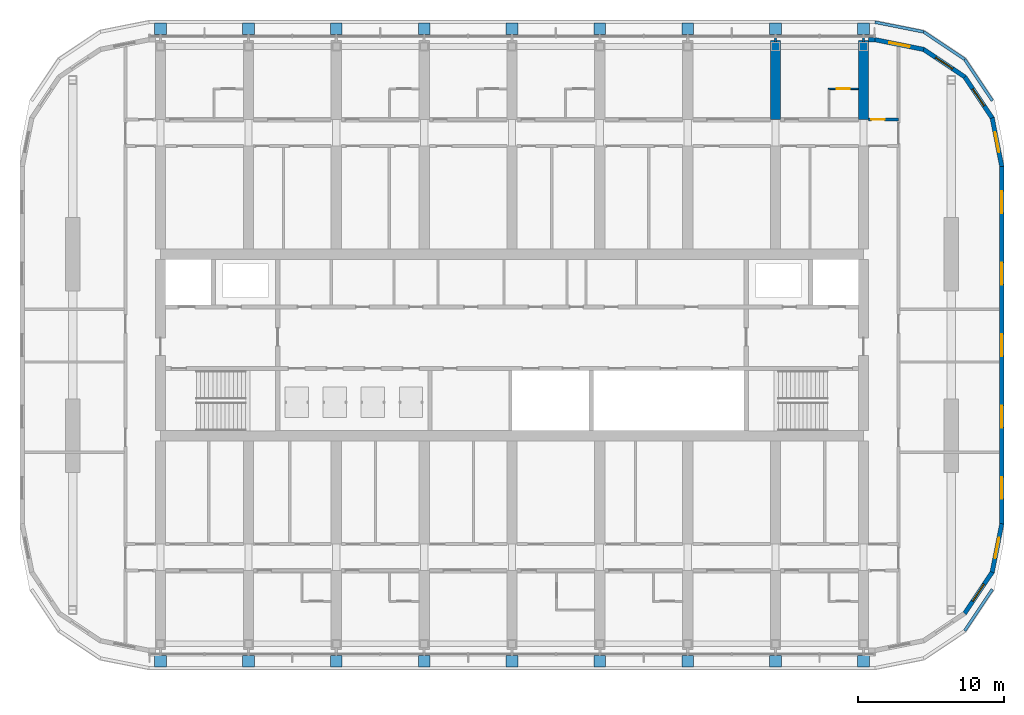
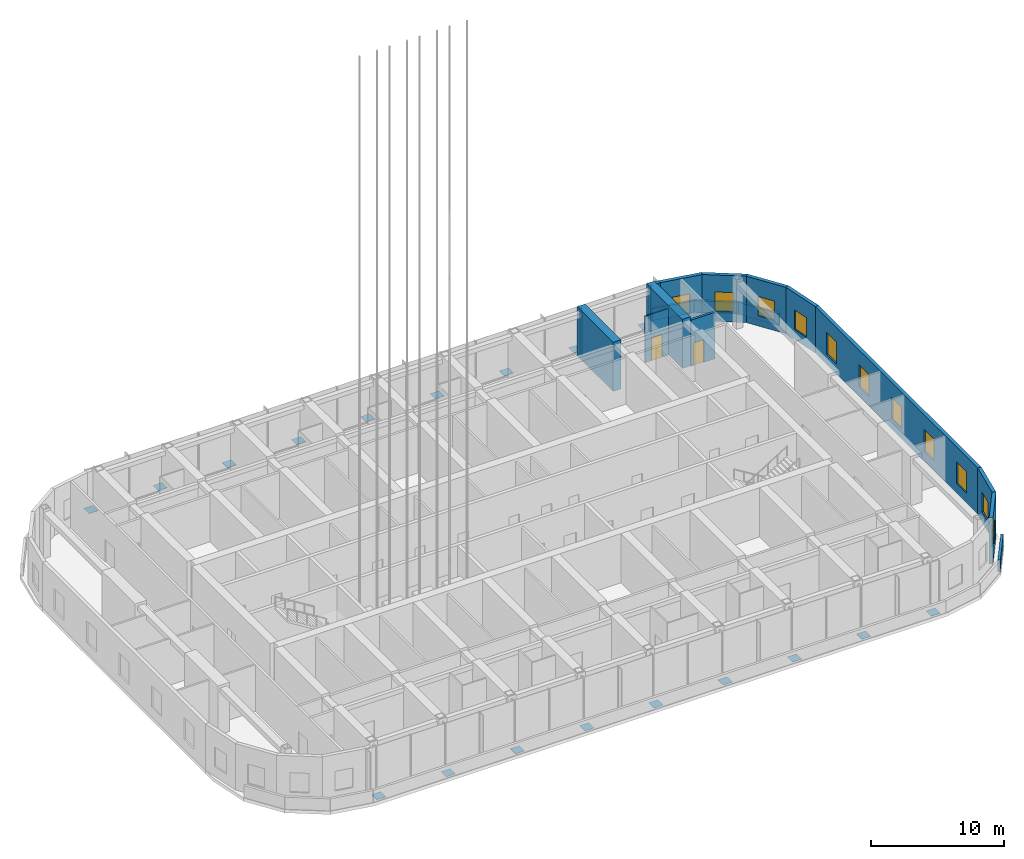
# One storey, part 21 of 35: 18 discrete accessories, 18 walls, 11 windows, 2 doors, 13 openings.
"""IFC4 building model written with IfcOpenShell, lengths in metres."""

import ifcopenshell
import ifcopenshell.guid

model = None  # the IFC model being written
_history = None  # IfcOwnerHistory: only IFC2X3 demands one
_inside = {}  # id of a spatial element -> (the spatial element, [elements in it])
_under = {}  # id of a project, library or spatial element -> (it, [spatial elements below it])
_declared = {}  # id of a project -> (the project, [libraries it declares])
_typed = {}  # id of a type object -> (the type object, [elements of that type])
_made_of = {}  # id of a material, layer set ... -> (it, [elements and type objects made of it])


def new_model(schema):
    """Start an empty IFC model of exactly this schema.

    Asked for "IFC4X3", IfcOpenShell would pick the latest addendum, in which some entities
    have other attributes; the version numbers below select the first issue.
    IFC2X3 requires an IfcOwnerHistory on every rooted entity: one is made here for all.
    """
    global model, _history
    if schema == "IFC4X3":
        model = ifcopenshell.file(schema_version=(4, 3, 0, 0))
    else:
        model = ifcopenshell.file(schema=schema)
    _inside.clear()
    _under.clear()
    _declared.clear()
    _typed.clear()
    _made_of.clear()
    _history = None
    if model.schema == "IFC2X3":
        org = make("IfcOrganization", Name="unknown")
        user = make(
            "IfcPersonAndOrganization",
            ThePerson=make("IfcPerson", FamilyName="unknown"),
            TheOrganization=org,
        )
        app = make(
            "IfcApplication",
            ApplicationDeveloper=org,
            Version="unknown",
            ApplicationFullName="unknown",
            ApplicationIdentifier="unknown",
        )
        _history = make(
            "IfcOwnerHistory",
            OwningUser=user,
            OwningApplication=app,
            ChangeAction="ADDED",
            CreationDate=0,
        )
    return model


def make(cls, **values):
    """One entity of the class cls with the attributes given. An attribute that is None is left unset."""
    return model.create_entity(
        cls, **{name: value for name, value in values.items() if value is not None}
    )


def rooted(cls, **values):
    """An entity with a GlobalId (a new one), such as an element, a storey or a relation."""
    return make(cls, GlobalId=ifcopenshell.guid.new(), OwnerHistory=_history, **values)


def si_unit(unit_type, name, prefix=None):
    """IfcSIUnit, for example si_unit("LENGTHUNIT", "METRE", prefix="MILLI")."""
    return make("IfcSIUnit", UnitType=unit_type, Prefix=prefix, Name=name)


def assignment(units):
    """IfcUnitAssignment: the units of a project."""
    return None if units is None else make("IfcUnitAssignment", Units=units)


def point(xyz):
    """IfcCartesianPoint."""
    return None if xyz is None else make("IfcCartesianPoint", Coordinates=xyz)


def direction(xyz):
    """IfcDirection."""
    return None if xyz is None else make("IfcDirection", DirectionRatios=xyz)


def frame(location, z_axis=None, x_axis=None):
    """IfcAxis2Placement3D, a coordinate frame: its origin and axes. An axis left out is left unset."""
    return make(
        "IfcAxis2Placement3D",
        Location=point(location),
        Axis=direction(z_axis),
        RefDirection=direction(x_axis),
    )


def frame_2d(location, x_axis=None):
    """IfcAxis2Placement2D, a coordinate frame in the plane: its origin and x axis."""
    return make(
        "IfcAxis2Placement2D", Location=point(location), RefDirection=direction(x_axis)
    )


def origin():
    """The frame at (0, 0, 0) with its axes left unset."""
    return frame((0.0, 0.0, 0.0))


def origin_2d():
    """The frame at (0, 0) in the plane with its x axis left unset."""
    return frame_2d((0.0, 0.0))


def place(relative_to, where):
    """IfcLocalPlacement: puts the frame where relative to a parent placement (None: the world)."""
    return make(
        "IfcLocalPlacement", PlacementRelTo=relative_to, RelativePlacement=where
    )


def context(
    kind, dimensions, precision=None, world=None, true_north=None, identifier=None
):
    """IfcGeometricRepresentationContext, for example the 3D "Model" context."""
    return make(
        "IfcGeometricRepresentationContext",
        ContextIdentifier=identifier,
        ContextType=kind,
        CoordinateSpaceDimension=dimensions,
        Precision=precision,
        WorldCoordinateSystem=world,
        TrueNorth=true_north,
    )


def subcontext(parent, identifier, kind, view, scale=None):
    """IfcGeometricRepresentationSubContext, for example "Body" below "Model"."""
    return make(
        "IfcGeometricRepresentationSubContext",
        ContextIdentifier=identifier,
        ContextType=kind,
        ParentContext=parent,
        TargetScale=scale,
        TargetView=view,
    )


def project(units=None, contexts=None):
    """IfcProject with its units and contexts."""
    return rooted(
        "IfcProject",
        Name="project",
        RepresentationContexts=contexts,
        UnitsInContext=assignment(units),
    )


def spatial(cls, under=None, at=None, **own):
    """A site, building, storey or space (cls), placed at a placement, below another one or the project."""
    s = rooted(cls, ObjectPlacement=at, **own)
    if under is not None:
        _under.setdefault(under.id(), (under, []))[1].append(s)
    return s


def polyline(points):
    """IfcPolyline through the points."""
    return make("IfcPolyline", Points=[point(p) for p in points])


def profile(cls, at=None, kind="AREA", **sizes):
    """A parametric profile (cls). Its sizes go by their IFC names, for example OverallWidth=200.0."""
    return make(cls, ProfileType=kind, Position=at, **sizes)


def rectangle(**sizes):
    """IfcRectangleProfileDef."""
    return profile("IfcRectangleProfileDef", **sizes)


def outline(outer, holes=None, kind="AREA"):
    """IfcArbitraryClosedProfileDef: a profile drawn as a closed curve; with holes, ...WithVoids."""
    if holes is None:
        return make("IfcArbitraryClosedProfileDef", ProfileType=kind, OuterCurve=outer)
    return make(
        "IfcArbitraryProfileDefWithVoids",
        ProfileType=kind,
        OuterCurve=outer,
        InnerCurves=holes,
    )


def extrude(swept, where, along, depth):
    """IfcExtrudedAreaSolid: the profile swept, set in the frame where, extruded along a direction by depth."""
    return make(
        "IfcExtrudedAreaSolid",
        SweptArea=swept,
        Position=where,
        ExtrudedDirection=direction(along),
        Depth=depth,
    )


def shape(context_of_items, identifier, shape_type, items):
    """IfcShapeRepresentation: the items that make up one representation, for example the "Body"."""
    return make(
        "IfcShapeRepresentation",
        ContextOfItems=context_of_items,
        RepresentationIdentifier=identifier,
        RepresentationType=shape_type,
        Items=items,
    )


def material(Name=None, Category=None):
    """IfcMaterial."""
    return make("IfcMaterial", Name=Name, Category=Category)


def layer(
    of_material, thickness, ventilated=None, Name=None, Category=None, Priority=None
):
    """IfcMaterialLayer: one layer of a wall or slab, of a material (None: an air gap)."""
    return make(
        "IfcMaterialLayer",
        Material=of_material,
        LayerThickness=thickness,
        IsVentilated=ventilated,
        Name=Name,
        Category=Category,
        Priority=Priority,
    )


def layer_set(layers, Name=None):
    """IfcMaterialLayerSet."""
    return make("IfcMaterialLayerSet", MaterialLayers=layers, LayerSetName=Name)


def made_of(thing, what):
    """Note that an element or type object is made of a material, layer set ...; save() writes the relation."""
    if what is not None:
        _made_of.setdefault(what.id(), (what, []))[1].append(thing)
    return thing


def type_object(cls, material=None, **own):
    """A type object (cls), such as IfcWallType, which elements share."""
    return made_of(rooted(cls, **own), material)


def element(
    cls,
    number,
    at=None,
    inside=None,
    cuts=None,
    type_object=None,
    material=None,
    context=None,
    identifier="Body",
    shape_type=None,
    held_by="IfcProductDefinitionShape",
    body=None,
    shapes=None,
    **own,
):
    """One element of the class cls, such as IfcWall. Its Tag is "e" and its number.

    at: its placement. inside: the storey or other place that contains it. cuts: it is an
    opening in that element (IfcRelVoidsElement). A single representation is given by context,
    identifier, shape_type and body (its items); several are given by shapes. held_by: the class
    of the entity that holds the representations. save() writes the other relations.
    """
    e = rooted(cls, Tag="e%d" % number, ObjectPlacement=at, **own)
    if body is not None:
        shapes = [shape(context, identifier, shape_type, body)]
    if shapes is not None:
        e.Representation = make(held_by, Representations=shapes)
    if inside is not None:
        _inside.setdefault(inside.id(), (inside, []))[1].append(e)
    if cuts is not None:
        rooted(
            "IfcRelVoidsElement", RelatingBuildingElement=cuts, RelatedOpeningElement=e
        )
    if type_object is not None:
        _typed.setdefault(type_object.id(), (type_object, []))[1].append(e)
    return made_of(e, material)


def fill(opening, filler):
    """IfcRelFillsElement: the door or window that sits in an opening."""
    return rooted(
        "IfcRelFillsElement",
        RelatingOpeningElement=opening,
        RelatedBuildingElement=filler,
    )


def aggregate(whole, parts):
    """IfcRelAggregates: a whole, such as a stair, and the parts it consists of."""
    return rooted("IfcRelAggregates", RelatingObject=whole, RelatedObjects=parts)


def save(model, path):
    """Write the relations noted so far, then the file.

    IfcRelAggregates (storeys below a building ...), IfcRelContainedInSpatialStructure (elements
    in a storey), IfcRelDefinesByType, IfcRelAssociatesMaterial and IfcRelDeclares: one each for
    every whole, place, type object, material and project.
    """
    for whole, parts in _under.values():
        aggregate(whole, parts)
    for where, things in _inside.values():
        rooted(
            "IfcRelContainedInSpatialStructure",
            RelatedElements=things,
            RelatingStructure=where,
        )
    for kind, things in _typed.values():
        rooted("IfcRelDefinesByType", RelatedObjects=things, RelatingType=kind)
    for what, things in _made_of.values():
        rooted("IfcRelAssociatesMaterial", RelatedObjects=things, RelatingMaterial=what)
    for by, libraries in _declared.values():
        rooted("IfcRelDeclares", RelatingContext=by, RelatedDefinitions=libraries)
    model.write(path)


model = new_model("IFC4")

# Units and contexts
model_context = context("Model", 3, precision=1e-05, world=origin(), true_north=direction((0.0, 1.0)))
body_context = subcontext(model_context, "Body", "Model", "MODEL_VIEW")
ifc_project = project(units=[si_unit("LENGTHUNIT", "METRE"), si_unit("AREAUNIT", "SQUARE_METRE"), si_unit("VOLUMEUNIT", "CUBIC_METRE"), si_unit("PLANEANGLEUNIT", "RADIAN"), si_unit("MASSUNIT", "GRAM", prefix="KILO")], contexts=[model_context])

# Site, building, storey
site_placement = place(None, origin())
site = spatial("IfcSite", under=ifc_project, at=site_placement, CompositionType="ELEMENT")
building_placement = place(site_placement, origin())
building = spatial("IfcBuilding", under=site, at=building_placement, Name="Orbita Commons", CompositionType="ELEMENT")
storey_placement = place(building_placement, frame((0.0, 0.0, 208.300048828125)))
storey = spatial("IfcBuildingStorey", under=building, at=storey_placement, Name="L51", CompositionType="ELEMENT", Elevation=208.300048828125)

# Wall, opening, door
ifc_material_1 = material(Name="Concrete blockwork", Category="masonry")
ifc_layer_1 = layer(ifc_material_1, 0.199951171875)
ifc_layer_set_1 = layer_set([ifc_layer_1], Name="Concrete blockwork")
wall_type_1 = type_object("IfcWallType", Name="Corridor wall 200 blockwork", PredefinedType="SOLIDWALL", material=ifc_layer_set_1)
wall_1_placement = place(storey_placement, frame((66.35009765625, 47.39990234375, 0.0), z_axis=(0.0, 0.0, 1.0), x_axis=(1.0, 0.0, 0.0)))
wall_1 = element("IfcWall", 1, at=wall_1_placement, inside=storey, type_object=wall_type_1, Name="Corridor wall 200 blockwork L51", PredefinedType="SOLIDWALL", context=body_context, shape_type="SweptSolid", body=[
    extrude(rectangle(XDim=2.0498046875, YDim=0.199951171875, at=frame_2d((1.02490234375, 0.0))), origin(), (0.0, 0.0, 1.0), 4.25),
])
opening_1_placement = place(wall_1_placement, frame((0.199951171875, 0.0, 0.0)))
opening_1 = element("IfcOpeningElement", 2, at=opening_1_placement, cuts=wall_1, Name="Opening D05", PredefinedType="OPENING", context=body_context, shape_type="SweptSolid", body=[
    extrude(rectangle(XDim=0.89990234375, YDim=2.10009765625, at=frame_2d((0.449951171875, 1.050048828125))), frame((0.0, 0.10986328125, 0.0), z_axis=(0.0, -1.0, 0.0), x_axis=(1.0, 0.0, 0.0)), (0.0, 0.0, 1.0), 0.219970703125),
])
ifc_material_2 = material(Name="Steel-faced fire door leaf", Category="steel")
door_type_1 = type_object("IfcDoorType", Name="Service door 20 min 900x2100", OperationType="SINGLE_SWING_LEFT", PredefinedType="DOOR", material=ifc_material_2)
door_1_placement = place(opening_1_placement, origin())
door_1 = element("IfcDoor", 3, at=door_1_placement, inside=storey, type_object=door_type_1, Name="Linen store L51-KEN door", OperationType="SINGLE_SWING_LEFT", OverallHeight=2.10009765625, OverallWidth=0.89990234375, PredefinedType="DOOR", context=body_context, shape_type="SweptSolid", body=[
    extrude(rectangle(XDim=0.89990234375, YDim=2.10009765625, at=frame_2d((0.449951171875, 1.050048828125))), frame((0.0, 0.02490234375, 0.0), z_axis=(0.0, -1.0, 0.0), x_axis=(1.0, 0.0, 0.0)), (0.0, 0.0, 1.0), 0.050048828125),
])
fill(opening_1, door_1)

# Walls
ifc_material_3 = material(Name="Concrete C50/60", Category="concrete")
ifc_layer_2 = layer(ifc_material_3, 0.699951171875)
ifc_layer_set_2 = layer_set([ifc_layer_2], Name="Concrete C50/60")
wall_type_2 = type_object("IfcWallType", Name="Cross wall 700 C50/60", PredefinedType="SHEAR", material=ifc_layer_set_2)
for number, where, z_axis, x_axis, name in (
    (4, (60.0, 47.39990234375, 0.0), (0.0, 0.0, 1.0), (0.0, 1.0, 0.0), "Cross wall 11 north outer L51"),
    (5, (66.0, 47.39990234375, 0.0), (0.0, 0.0, 1.0), (0.0, 1.0, 0.0), "Cross wall 12 north outer L51"),
):
    element("IfcWall", number, at=place(storey_placement, frame(where, z_axis=z_axis, x_axis=x_axis)), inside=storey, type_object=wall_type_2, Name=name, PredefinedType="SHEAR", context=body_context, shape_type="SweptSolid", body=[
        extrude(rectangle(XDim=5.400146484375, YDim=0.699951171875, at=frame_2d((2.7001953125, 0.0))), origin(), (0.0, 0.0, 1.0), 4.5),
    ])

# Wall, opening, door
ifc_material_4 = material(Name="Moisture-resistant plasterboard on steel studs", Category="steel")
ifc_layer_3 = layer(ifc_material_4, 0.10009765625)
ifc_layer_set_3 = layer_set([ifc_layer_3], Name="Moisture-resistant plasterboard on steel studs")
wall_type_3 = type_object("IfcWallType", Name="En-suite partition 100", PredefinedType="PARTITIONING", material=ifc_layer_set_3)
wall_2_placement = place(storey_placement, frame((63.60009765625, 49.5, 0.0), z_axis=(0.0, 0.0, 1.0), x_axis=(1.0, 0.0, 0.0)))
wall_2 = element("IfcWall", 6, at=wall_2_placement, inside=storey, type_object=wall_type_3, Name="En-suite partition 100 L51", PredefinedType="PARTITIONING", context=body_context, shape_type="SweptSolid", body=[
    extrude(rectangle(XDim=2.0498046875, YDim=0.10009765625, at=frame_2d((1.02490234375, 0.0))), origin(), (0.0, 0.0, 1.0), 4.25),
])
opening_2_placement = place(wall_2_placement, frame((0.574951171875, 0.0, 0.0)))
opening_2 = element("IfcOpeningElement", 7, at=opening_2_placement, cuts=wall_2, Name="Opening D09", PredefinedType="OPENING", context=body_context, shape_type="SweptSolid", body=[
    extrude(rectangle(XDim=0.89990234375, YDim=2.10009765625, at=frame_2d((0.449951171875, 1.050048828125))), frame((0.0, 0.06005859375, 0.0), z_axis=(0.0, -1.0, 0.0), x_axis=(1.0, 0.0, 0.0)), (0.0, 0.0, 1.0), 0.1201171875),
])
ifc_material_5 = material(Name="Laminated timber door leaf", Category="wood")
door_type_2 = type_object("IfcDoorType", Name="En-suite door 900x2100", OperationType="SINGLE_SWING_RIGHT", PredefinedType="DOOR", material=ifc_material_5)
door_2_placement = place(opening_2_placement, origin())
door_2 = element("IfcDoor", 8, at=door_2_placement, inside=storey, type_object=door_type_2, Name="En-suite L51-NF8 door", OperationType="SINGLE_SWING_RIGHT", OverallHeight=2.10009765625, OverallWidth=0.89990234375, PredefinedType="DOOR", context=body_context, shape_type="SweptSolid", body=[
    extrude(rectangle(XDim=0.89990234375, YDim=2.10009765625, at=frame_2d((0.449951171875, 1.050048828125))), frame((0.0, 0.02490234375, 0.0), z_axis=(0.0, -1.0, 0.0), x_axis=(1.0, 0.0, 0.0)), (0.0, 0.0, 1.0), 0.050048828125),
])
fill(opening_2, door_2)

# Walls
ifc_material_6 = material(Name="Gypsum plasterboard on steel studs", Category="steel")
ifc_layer_4 = layer(ifc_material_6, 0.14990234375)
ifc_layer_set_4 = layer_set([ifc_layer_4], Name="Gypsum plasterboard on steel studs")
wall_type_4 = type_object("IfcWallType", Name="Partition 150 plasterboard", PredefinedType="PARTITIONING", material=ifc_layer_set_4)
for number, where, z_axis, x_axis, name in (
    (9, (60.0, 52.699951171875, 0.0), (0.0, 0.0, 1.0), (0.0, 1.0, 0.0), "Partition 150 plasterboard L51"),
    (10, (66.0, 52.699951171875, 0.0), (0.0, 0.0, 1.0), (0.0, 1.0, 0.0), "Partition 150 plasterboard L51"),
):
    element("IfcWall", number, at=place(storey_placement, frame(where, z_axis=z_axis, x_axis=x_axis)), inside=storey, type_object=wall_type_4, Name=name, PredefinedType="PARTITIONING", context=body_context, shape_type="SweptSolid", body=[
        extrude(rectangle(XDim=0.2900390625, YDim=0.14990234375, at=frame_2d((0.14501953125, 0.0))), origin(), (0.0, 0.0, 1.0), 4.25),
    ])

# Wall, openings, windows
ifc_material_7 = material(Name="Precast concrete C40/50, white board-marked finish", Category="concrete")
ifc_layer_5 = layer(ifc_material_7, 0.300048828125)
ifc_layer_set_5 = layer_set([ifc_layer_5], Name="Precast concrete C40/50, white board-marked finish")
wall_type_5 = type_object("IfcWallType", Name="Precast concrete end shield 300", PredefinedType="SOLIDWALL", material=ifc_layer_set_5)
wall_3_placement = place(storey_placement, frame((75.449951171875, 19.800048828125, 0.0), z_axis=(0.0, 0.0, 1.0), x_axis=(0.0, 1.0, 0.0)))
wall_3 = element("IfcWall", 11, at=wall_3_placement, inside=storey, type_object=wall_type_5, Name="End shield E L51", PredefinedType="SOLIDWALL", context=body_context, shape_type="SweptSolid", body=[
    extrude(outline(polyline([(-0.014892578125, -0.14990234375), (24.414794921875, -0.14990234375), (24.385009765625, 0.14990234375), (0.014892578125, 0.14990234375), (-0.014892578125, -0.14990234375)])), origin(), (0.0, 0.0, 1.0), 4.25),
])
opening_3_placement = place(wall_3_placement, frame((1.68994140625, 0.0, 0.89990234375)))
opening_3 = element("IfcOpeningElement", 12, at=opening_3_placement, cuts=wall_3, Name="Opening W01", PredefinedType="OPENING", context=body_context, shape_type="SweptSolid", body=[
    extrude(rectangle(XDim=1.5, YDim=2.0, at=frame_2d((0.75, 1.0))), frame((0.0, 0.159912109375, 0.0), z_axis=(0.0, -1.0, 0.0), x_axis=(1.0, 0.0, 0.0)), (0.0, 0.0, 1.0), 0.320068359375),
])
opening_4_placement = place(wall_3_placement, frame((6.570068359375, 0.0, 0.89990234375)))
opening_4 = element("IfcOpeningElement", 13, at=opening_4_placement, cuts=wall_3, Name="Opening W01", PredefinedType="OPENING", context=body_context, shape_type="SweptSolid", body=[
    extrude(rectangle(XDim=1.5, YDim=2.0, at=frame_2d((0.75, 1.0))), frame((0.0, 0.159912109375, 0.0), z_axis=(0.0, -1.0, 0.0), x_axis=(1.0, 0.0, 0.0)), (0.0, 0.0, 1.0), 0.320068359375),
])
opening_5_placement = place(wall_3_placement, frame((11.449951171875, 0.0, 0.89990234375)))
opening_5 = element("IfcOpeningElement", 14, at=opening_5_placement, cuts=wall_3, Name="Opening W01", PredefinedType="OPENING", context=body_context, shape_type="SweptSolid", body=[
    extrude(rectangle(XDim=1.5, YDim=2.0, at=frame_2d((0.75, 1.0))), frame((0.0, 0.159912109375, 0.0), z_axis=(0.0, -1.0, 0.0), x_axis=(1.0, 0.0, 0.0)), (0.0, 0.0, 1.0), 0.320068359375),
])
opening_6_placement = place(wall_3_placement, frame((16.330078125, 0.0, 0.89990234375)))
opening_6 = element("IfcOpeningElement", 15, at=opening_6_placement, cuts=wall_3, Name="Opening W01", PredefinedType="OPENING", context=body_context, shape_type="SweptSolid", body=[
    extrude(rectangle(XDim=1.5, YDim=2.0, at=frame_2d((0.75, 1.0))), frame((0.0, 0.159912109375, 0.0), z_axis=(0.0, -1.0, 0.0), x_axis=(1.0, 0.0, 0.0)), (0.0, 0.0, 1.0), 0.320068359375),
])
opening_7_placement = place(wall_3_placement, frame((21.2099609375, 0.0, 0.89990234375)))
opening_7 = element("IfcOpeningElement", 16, at=opening_7_placement, cuts=wall_3, Name="Opening W01", PredefinedType="OPENING", context=body_context, shape_type="SweptSolid", body=[
    extrude(rectangle(XDim=1.5, YDim=2.0, at=frame_2d((0.75, 1.0))), frame((0.0, 0.159912109375, 0.0), z_axis=(0.0, -1.0, 0.0), x_axis=(1.0, 0.0, 0.0)), (0.0, 0.0, 1.0), 0.320068359375),
])
ifc_material_8 = material(Name="Aluminium frame, clear double glazing", Category="aluminium")
window_type_1 = type_object("IfcWindowType", Name="Deep-set window 1500x2000", PartitioningType="SINGLE_PANEL", PredefinedType="WINDOW", material=ifc_material_8)
window_1_placement = place(opening_3_placement, origin())
window_1 = element("IfcWindow", 17, at=window_1_placement, inside=storey, type_object=window_type_1, Name="Window L51-E 1", OverallHeight=2.0, OverallWidth=1.5, PartitioningType="SINGLE_PANEL", PredefinedType="WINDOW", context=body_context, shape_type="SweptSolid", body=[
    extrude(rectangle(XDim=1.5, YDim=2.0, at=frame_2d((0.75, 1.0))), frame((0.0, 0.030029296875, 0.0), z_axis=(0.0, -1.0, 0.0), x_axis=(1.0, 0.0, 0.0)), (0.0, 0.0, 1.0), 0.06005859375),
])
fill(opening_3, window_1)
window_2_placement = place(opening_4_placement, origin())
window_2 = element("IfcWindow", 18, at=window_2_placement, inside=storey, type_object=window_type_1, Name="Window L51-E 2", OverallHeight=2.0, OverallWidth=1.5, PartitioningType="SINGLE_PANEL", PredefinedType="WINDOW", context=body_context, shape_type="SweptSolid", body=[
    extrude(rectangle(XDim=1.5, YDim=2.0, at=frame_2d((0.75, 1.0))), frame((0.0, 0.030029296875, 0.0), z_axis=(0.0, -1.0, 0.0), x_axis=(1.0, 0.0, 0.0)), (0.0, 0.0, 1.0), 0.06005859375),
])
fill(opening_4, window_2)
window_3_placement = place(opening_5_placement, origin())
window_3 = element("IfcWindow", 19, at=window_3_placement, inside=storey, type_object=window_type_1, Name="Window L51-E 3", OverallHeight=2.0, OverallWidth=1.5, PartitioningType="SINGLE_PANEL", PredefinedType="WINDOW", context=body_context, shape_type="SweptSolid", body=[
    extrude(rectangle(XDim=1.5, YDim=2.0, at=frame_2d((0.75, 1.0))), frame((0.0, 0.030029296875, 0.0), z_axis=(0.0, -1.0, 0.0), x_axis=(1.0, 0.0, 0.0)), (0.0, 0.0, 1.0), 0.06005859375),
])
fill(opening_5, window_3)
window_4_placement = place(opening_6_placement, origin())
window_4 = element("IfcWindow", 20, at=window_4_placement, inside=storey, type_object=window_type_1, Name="Window L51-E 4", OverallHeight=2.0, OverallWidth=1.5, PartitioningType="SINGLE_PANEL", PredefinedType="WINDOW", context=body_context, shape_type="SweptSolid", body=[
    extrude(rectangle(XDim=1.5, YDim=2.0, at=frame_2d((0.75, 1.0))), frame((0.0, 0.030029296875, 0.0), z_axis=(0.0, -1.0, 0.0), x_axis=(1.0, 0.0, 0.0)), (0.0, 0.0, 1.0), 0.06005859375),
])
fill(opening_6, window_4)
window_5_placement = place(opening_7_placement, origin())
window_5 = element("IfcWindow", 21, at=window_5_placement, inside=storey, type_object=window_type_1, Name="Window L51-E 5", OverallHeight=2.0, OverallWidth=1.5, PartitioningType="SINGLE_PANEL", PredefinedType="WINDOW", context=body_context, shape_type="SweptSolid", body=[
    extrude(rectangle(XDim=1.5, YDim=2.0, at=frame_2d((0.75, 1.0))), frame((0.0, 0.030029296875, 0.0), z_axis=(0.0, -1.0, 0.0), x_axis=(1.0, 0.0, 0.0)), (0.0, 0.0, 1.0), 0.06005859375),
])
fill(opening_7, window_5)

# Wall, opening, window
wall_4_placement = place(storey_placement, frame((72.91650390625, 13.68359375, 0.0), z_axis=(0.0, 0.0, 1.0), x_axis=(0.555567969291, 0.831471124873, 0.0)))
wall_4 = element("IfcWall", 22, at=wall_4_placement, inside=storey, type_object=wall_type_5, Name="End shield SE chord 3 L51", PredefinedType="SOLIDWALL", context=body_context, shape_type="SweptSolid", body=[
    extrude(outline(polyline([(-0.02978515625, -0.14990234375), (3.40478515625, -0.14990234375), (3.34521484375, 0.14990234375), (0.02978515625, 0.14990234375), (-0.02978515625, -0.14990234375)])), origin(), (0.0, 0.0, 1.0), 4.25),
])
opening_8_placement = place(wall_4_placement, frame((0.987548828125, 0.0, 0.89990234375)))
opening_8 = element("IfcOpeningElement", 23, at=opening_8_placement, cuts=wall_4, Name="Opening W02", PredefinedType="OPENING", context=body_context, shape_type="SweptSolid", body=[
    extrude(rectangle(XDim=1.39990234375, YDim=1.800048828125, at=frame_2d((0.699951171875, 0.89990234375))), frame((0.0, 0.159912109375, 0.0), z_axis=(0.0, -1.0, 0.0), x_axis=(1.0, 0.0, 0.0)), (0.0, 0.0, 1.0), 0.320068359375),
])
ifc_material_9 = material(Name="Aluminium frame, clear double glazing", Category="aluminium")
window_type_2 = type_object("IfcWindowType", Name="Deep-set window 1400x1800", PartitioningType="SINGLE_PANEL", PredefinedType="WINDOW", material=ifc_material_9)
window_6_placement = place(opening_8_placement, origin())
window_6 = element("IfcWindow", 24, at=window_6_placement, inside=storey, type_object=window_type_2, Name="Window L51-SE2", OverallHeight=1.800048828125, OverallWidth=1.39990234375, PartitioningType="SINGLE_PANEL", PredefinedType="WINDOW", context=body_context, shape_type="SweptSolid", body=[
    extrude(rectangle(XDim=1.39990234375, YDim=1.800048828125, at=frame_2d((0.699951171875, 0.89990234375))), frame((0.0, 0.030029296875, 0.0), z_axis=(0.0, -1.0, 0.0), x_axis=(1.0, 0.0, 0.0)), (0.0, 0.0, 1.0), 0.06005859375),
])
fill(opening_8, window_6)

wall_5_placement = place(storey_placement, frame((74.79150390625, 16.48974609375, 0.0), z_axis=(0.0, 0.0, 1.0), x_axis=(0.19508664885, 0.980786011034, 0.0)))
wall_5 = element("IfcWall", 25, at=wall_5_placement, inside=storey, type_object=wall_type_5, Name="End shield SE chord 4 L51", PredefinedType="SOLIDWALL", context=body_context, shape_type="SweptSolid", body=[
    extrude(outline(polyline([(-0.02978515625, -0.14990234375), (3.39013671875, -0.14990234375), (3.3603515625, 0.14990234375), (0.02978515625, 0.14990234375), (-0.02978515625, -0.14990234375)])), origin(), (0.0, 0.0, 1.0), 4.25),
])
opening_9_placement = place(wall_5_placement, frame((0.987548828125, 0.0, 0.89990234375)))
opening_9 = element("IfcOpeningElement", 26, at=opening_9_placement, cuts=wall_5, Name="Opening W02", PredefinedType="OPENING", context=body_context, shape_type="SweptSolid", body=[
    extrude(rectangle(XDim=1.39990234375, YDim=1.800048828125, at=frame_2d((0.699951171875, 0.89990234375))), frame((0.0, 0.159912109375, 0.0), z_axis=(0.0, -1.0, 0.0), x_axis=(1.0, 0.0, 0.0)), (0.0, 0.0, 1.0), 0.320068359375),
])
window_7_placement = place(opening_9_placement, origin())
window_7 = element("IfcWindow", 27, at=window_7_placement, inside=storey, type_object=window_type_2, Name="Window L51-SE3", OverallHeight=1.800048828125, OverallWidth=1.39990234375, PartitioningType="SINGLE_PANEL", PredefinedType="WINDOW", context=body_context, shape_type="SweptSolid", body=[
    extrude(rectangle(XDim=1.39990234375, YDim=1.800048828125, at=frame_2d((0.699951171875, 0.89990234375))), frame((0.0, 0.030029296875, 0.0), z_axis=(0.0, -1.0, 0.0), x_axis=(1.0, 0.0, 0.0)), (0.0, 0.0, 1.0), 0.06005859375),
])
fill(opening_9, window_7)

wall_6_placement = place(storey_placement, frame((75.449951171875, 44.199951171875, 0.0), z_axis=(0.0, 0.0, 1.0), x_axis=(-0.19508664885, 0.980786011034, 0.0)))
wall_6 = element("IfcWall", 28, at=wall_6_placement, inside=storey, type_object=wall_type_5, Name="End shield NE chord 1 L51", PredefinedType="SOLIDWALL", context=body_context, shape_type="SweptSolid", body=[
    extrude(outline(polyline([(-0.014892578125, -0.14990234375), (3.405029296875, -0.14990234375), (3.345458984375, 0.14990234375), (0.014892578125, 0.14990234375), (-0.014892578125, -0.14990234375)])), origin(), (0.0, 0.0, 1.0), 4.25),
])
opening_10_placement = place(wall_6_placement, frame((0.987548828125, 0.0, 0.89990234375)))
opening_10 = element("IfcOpeningElement", 29, at=opening_10_placement, cuts=wall_6, Name="Opening W02", PredefinedType="OPENING", context=body_context, shape_type="SweptSolid", body=[
    extrude(rectangle(XDim=1.39990234375, YDim=1.800048828125, at=frame_2d((0.699951171875, 0.89990234375))), frame((0.0, 0.159912109375, 0.0), z_axis=(0.0, -1.0, 0.0), x_axis=(1.0, 0.0, 0.0)), (0.0, 0.0, 1.0), 0.320068359375),
])
window_8_placement = place(opening_10_placement, origin())
window_8 = element("IfcWindow", 30, at=window_8_placement, inside=storey, type_object=window_type_2, Name="Window L51-NE0", OverallHeight=1.800048828125, OverallWidth=1.39990234375, PartitioningType="SINGLE_PANEL", PredefinedType="WINDOW", context=body_context, shape_type="SweptSolid", body=[
    extrude(rectangle(XDim=1.39990234375, YDim=1.800048828125, at=frame_2d((0.699951171875, 0.89990234375))), frame((0.0, 0.030029296875, 0.0), z_axis=(0.0, -1.0, 0.0), x_axis=(1.0, 0.0, 0.0)), (0.0, 0.0, 1.0), 0.06005859375),
])
fill(opening_10, window_8)

wall_7_placement = place(storey_placement, frame((74.79150390625, 47.51025390625, 0.0), z_axis=(0.0, 0.0, 1.0), x_axis=(-0.555567969291, 0.831471124873, 0.0)))
wall_7 = element("IfcWall", 31, at=wall_7_placement, inside=storey, type_object=wall_type_5, Name="End shield NE chord 2 L51", PredefinedType="SOLIDWALL", context=body_context, shape_type="SweptSolid", body=[
    extrude(outline(polyline([(-0.02978515625, -0.14990234375), (3.40478515625, -0.14990234375), (3.34521484375, 0.14990234375), (0.02978515625, 0.14990234375), (-0.02978515625, -0.14990234375)])), origin(), (0.0, 0.0, 1.0), 4.25),
])
opening_11_placement = place(wall_7_placement, frame((0.987548828125, 0.0, 0.89990234375)))
opening_11 = element("IfcOpeningElement", 32, at=opening_11_placement, cuts=wall_7, Name="Opening W02", PredefinedType="OPENING", context=body_context, shape_type="SweptSolid", body=[
    extrude(rectangle(XDim=1.39990234375, YDim=1.800048828125, at=frame_2d((0.699951171875, 0.89990234375))), frame((0.0, 0.159912109375, 0.0), z_axis=(0.0, -1.0, 0.0), x_axis=(1.0, 0.0, 0.0)), (0.0, 0.0, 1.0), 0.320068359375),
])
window_9_placement = place(opening_11_placement, origin())
window_9 = element("IfcWindow", 33, at=window_9_placement, inside=storey, type_object=window_type_2, Name="Window L51-NE1", OverallHeight=1.800048828125, OverallWidth=1.39990234375, PartitioningType="SINGLE_PANEL", PredefinedType="WINDOW", context=body_context, shape_type="SweptSolid", body=[
    extrude(rectangle(XDim=1.39990234375, YDim=1.800048828125, at=frame_2d((0.699951171875, 0.89990234375))), frame((0.0, 0.030029296875, 0.0), z_axis=(0.0, -1.0, 0.0), x_axis=(1.0, 0.0, 0.0)), (0.0, 0.0, 1.0), 0.06005859375),
])
fill(opening_11, window_9)

wall_8_placement = place(storey_placement, frame((72.91650390625, 50.31640625, 0.0), z_axis=(0.0, 0.0, 1.0), x_axis=(-0.831460037396, 0.555584562613, 0.0)))
wall_8 = element("IfcWall", 34, at=wall_8_placement, inside=storey, type_object=wall_type_5, Name="End shield NE chord 3 L51", PredefinedType="SOLIDWALL", context=body_context, shape_type="SweptSolid", body=[
    extrude(outline(polyline([(-0.02978515625, -0.14990234375), (3.405029296875, -0.14990234375), (3.345458984375, 0.14990234375), (0.02978515625, 0.14990234375), (-0.02978515625, -0.14990234375)])), origin(), (0.0, 0.0, 1.0), 4.25),
])
opening_12_placement = place(wall_8_placement, frame((0.987548828125, 0.0, 0.89990234375)))
opening_12 = element("IfcOpeningElement", 35, at=opening_12_placement, cuts=wall_8, Name="Opening W02", PredefinedType="OPENING", context=body_context, shape_type="SweptSolid", body=[
    extrude(rectangle(XDim=1.39990234375, YDim=1.800048828125, at=frame_2d((0.699951171875, 0.89990234375))), frame((0.0, 0.159912109375, 0.0), z_axis=(0.0, -1.0, 0.0), x_axis=(1.0, 0.0, 0.0)), (0.0, 0.0, 1.0), 0.320068359375),
])
window_10_placement = place(opening_12_placement, origin())
window_10 = element("IfcWindow", 36, at=window_10_placement, inside=storey, type_object=window_type_2, Name="Window L51-NE2", OverallHeight=1.800048828125, OverallWidth=1.39990234375, PartitioningType="SINGLE_PANEL", PredefinedType="WINDOW", context=body_context, shape_type="SweptSolid", body=[
    extrude(rectangle(XDim=1.39990234375, YDim=1.800048828125, at=frame_2d((0.699951171875, 0.89990234375))), frame((0.0, 0.030029296875, 0.0), z_axis=(0.0, -1.0, 0.0), x_axis=(1.0, 0.0, 0.0)), (0.0, 0.0, 1.0), 0.06005859375),
])
fill(opening_12, window_10)

wall_9_placement = place(storey_placement, frame((70.110107421875, 52.191650390625, 0.0), z_axis=(0.0, 0.0, 1.0), x_axis=(-0.98078325777, 0.195100490205, 0.0)))
wall_9 = element("IfcWall", 37, at=wall_9_placement, inside=storey, type_object=wall_type_5, Name="End shield NE chord 4 L51", PredefinedType="SOLIDWALL", context=body_context, shape_type="SweptSolid", body=[
    extrude(outline(polyline([(-0.02978515625, -0.14990234375), (3.40478515625, -0.14990234375), (3.34521484375, 0.14990234375), (0.02978515625, 0.14990234375), (-0.02978515625, -0.14990234375)])), origin(), (0.0, 0.0, 1.0), 4.25),
])
opening_13_placement = place(wall_9_placement, frame((0.987548828125, 0.0, 0.89990234375)))
opening_13 = element("IfcOpeningElement", 38, at=opening_13_placement, cuts=wall_9, Name="Opening W02", PredefinedType="OPENING", context=body_context, shape_type="SweptSolid", body=[
    extrude(rectangle(XDim=1.39990234375, YDim=1.800048828125, at=frame_2d((0.699951171875, 0.89990234375))), frame((0.0, 0.159912109375, 0.0), z_axis=(0.0, -1.0, 0.0), x_axis=(1.0, 0.0, 0.0)), (0.0, 0.0, 1.0), 0.320068359375),
])
window_11_placement = place(opening_13_placement, origin())
window_11 = element("IfcWindow", 39, at=window_11_placement, inside=storey, type_object=window_type_2, Name="Window L51-NE3", OverallHeight=1.800048828125, OverallWidth=1.39990234375, PartitioningType="SINGLE_PANEL", PredefinedType="WINDOW", context=body_context, shape_type="SweptSolid", body=[
    extrude(rectangle(XDim=1.39990234375, YDim=1.800048828125, at=frame_2d((0.699951171875, 0.89990234375))), frame((0.0, 0.030029296875, 0.0), z_axis=(0.0, -1.0, 0.0), x_axis=(1.0, 0.0, 0.0)), (0.0, 0.0, 1.0), 0.06005859375),
])
fill(opening_13, window_11)

# Walls
wall_10_placement = place(storey_placement, frame((66.800048828125, 52.85009765625, 0.0), z_axis=(0.0, 0.0, 1.0), x_axis=(-1.0, 0.0, 0.0)))
element("IfcWall", 40, at=wall_10_placement, inside=storey, type_object=wall_type_5, Name="End shield NE closer L51", PredefinedType="SOLIDWALL", context=body_context, shape_type="SweptSolid", body=[
    extrude(rectangle(XDim=0.449951171875, YDim=0.300048828125, at=frame_2d((0.22509765625, 0.0))), origin(), (0.0, 0.0, 1.0), 4.25),
])
ifc_material_10 = material(Name="Precast concrete C40/50, white board-marked finish", Category="concrete")
ifc_layer_6 = layer(ifc_material_10, 0.199951171875)
ifc_layer_set_6 = layer_set([ifc_layer_6], Name="Precast concrete C40/50, white board-marked finish")
wall_type_6 = type_object("IfcWallType", Name="Precast parapet 200", PredefinedType="PARAPET", material=ifc_layer_set_6)
wall_11_placement = place(storey_placement, frame((74.805419921875, 15.315673828125, 0.0), z_axis=(0.0, 0.0, 1.0), x_axis=(-0.555593699073, -0.831453932308, 0.0)))
element("IfcWall", 41, at=wall_11_placement, inside=storey, type_object=wall_type_6, Name="Parapet L51 1.1", PredefinedType="PARAPET", context=body_context, shape_type="SweptSolid", body=[
    extrude(rectangle(XDim=3.40380859375, YDim=0.199951171875, at=frame_2d((1.701904296875, 0.0))), origin(), (0.0, 0.0, 1.0), 1.099853515625),
])
wall_12_placement = place(storey_placement, frame((66.78515625, 54.050048828125, 0.0), z_axis=(0.0, 0.0, 1.0), x_axis=(0.980787925163, -0.195077025438, 0.0)))
element("IfcWall", 42, at=wall_12_placement, inside=storey, type_object=wall_type_6, Name="Parapet L51 2.1.5", PredefinedType="PARAPET", context=body_context, shape_type="SweptSolid", body=[
    extrude(rectangle(XDim=3.38916015625, YDim=0.199951171875, at=frame_2d((1.694580078125, 0.0))), origin(), (0.0, 0.0, 1.0), 1.099853515625),
])
wall_13_placement = place(storey_placement, frame((70.109130859375, 53.388916015625, 0.0), z_axis=(0.0, 0.0, 1.0), x_axis=(0.831448637767, -0.555601622348, 0.0)))
element("IfcWall", 43, at=wall_13_placement, inside=storey, type_object=wall_type_6, Name="Parapet L51 2.1.6", PredefinedType="PARAPET", context=body_context, shape_type="SweptSolid", body=[
    extrude(rectangle(XDim=3.373779296875, YDim=0.199951171875, at=frame_2d((1.68701171875, 0.0))), origin(), (0.0, 0.0, 1.0), 1.099853515625),
])
wall_14_placement = place(storey_placement, frame((72.914306640625, 51.514404296875, 0.0), z_axis=(0.0, 0.0, 1.0), x_axis=(0.555593699073, -0.831453932308, 0.0)))
element("IfcWall", 44, at=wall_14_placement, inside=storey, type_object=wall_type_6, Name="Parapet L51 2.1.7", PredefinedType="PARAPET", context=body_context, shape_type="SweptSolid", body=[
    extrude(rectangle(XDim=3.40380859375, YDim=0.199951171875, at=frame_2d((1.701904296875, 0.0))), origin(), (0.0, 0.0, 1.0), 1.099853515625),
])

# Discrete accessories
ifc_material_11 = material(Name="Steel ASTM A572 Gr 50 welded plate", Category="steel")
ifc_layer_7 = layer(ifc_material_11, 0.02001953125)
ifc_layer_set_7 = layer_set([ifc_layer_7], Name="Steel ASTM A572 Gr 50 welded plate")
discrete_accessory_type = type_object("IfcDiscreteAccessoryType", Name="Column end plate BOX 800x800x80", PredefinedType="NOTDEFINED", material=ifc_layer_set_7)
for number, where, z_axis, x_axis, name in (
    (45, (18.0, 10.39990234375, 0.0), (0.0, 0.0, 1.0), (1.0, 0.0, 0.0), "Column end plate 4/B L50"),
    (46, (18.0, 53.60009765625, 0.0), (0.0, 0.0, 1.0), (1.0, 0.0, 0.0), "Column end plate 4/E L50"),
    (47, (24.0, 10.39990234375, 0.0), (0.0, 0.0, 1.0), (1.0, 0.0, 0.0), "Column end plate 5/B L50"),
    (48, (24.0, 53.60009765625, 0.0), (0.0, 0.0, 1.0), (1.0, 0.0, 0.0), "Column end plate 5/E L50"),
    (49, (30.0, 10.39990234375, 0.0), (0.0, 0.0, 1.0), (1.0, 0.0, 0.0), "Column end plate 6/B L50"),
    (50, (30.0, 53.60009765625, 0.0), (0.0, 0.0, 1.0), (1.0, 0.0, 0.0), "Column end plate 6/E L50"),
    (51, (36.0, 10.39990234375, 0.0), (0.0, 0.0, 1.0), (1.0, 0.0, 0.0), "Column end plate 7/B L50"),
    (52, (36.0, 53.60009765625, 0.0), (0.0, 0.0, 1.0), (1.0, 0.0, 0.0), "Column end plate 7/E L50"),
    (53, (42.0, 10.39990234375, 0.0), (0.0, 0.0, 1.0), (1.0, 0.0, 0.0), "Column end plate 8/B L50"),
    (54, (42.0, 53.60009765625, 0.0), (0.0, 0.0, 1.0), (1.0, 0.0, 0.0), "Column end plate 8/E L50"),
    (55, (48.0, 10.39990234375, 0.0), (0.0, 0.0, 1.0), (1.0, 0.0, 0.0), "Column end plate 9/B L50"),
    (56, (48.0, 53.60009765625, 0.0), (0.0, 0.0, 1.0), (1.0, 0.0, 0.0), "Column end plate 9/E L50"),
    (57, (54.0, 10.39990234375, 0.0), (0.0, 0.0, 1.0), (1.0, 0.0, 0.0), "Column end plate 10/B L50"),
    (58, (54.0, 53.60009765625, 0.0), (0.0, 0.0, 1.0), (1.0, 0.0, 0.0), "Column end plate 10/E L50"),
    (59, (60.0, 10.39990234375, 0.0), (0.0, 0.0, 1.0), (1.0, 0.0, 0.0), "Column end plate 11/B L50"),
    (60, (60.0, 53.60009765625, 0.0), (0.0, 0.0, 1.0), (1.0, 0.0, 0.0), "Column end plate 11/E L50"),
    (61, (66.0, 10.39990234375, 0.0), (0.0, 0.0, 1.0), (1.0, 0.0, 0.0), "Column end plate 12/B L50"),
    (62, (66.0, 53.60009765625, 0.0), (0.0, 0.0, 1.0), (1.0, 0.0, 0.0), "Column end plate 12/E L50"),
):
    element("IfcDiscreteAccessory", number, at=place(storey_placement, frame(where, z_axis=z_axis, x_axis=x_axis)), inside=storey, type_object=discrete_accessory_type, Name=name, PredefinedType="NOTDEFINED", context=body_context, shape_type="SweptSolid", body=[
        extrude(rectangle(XDim=0.800048828125, YDim=0.800048828125, at=origin_2d()), origin(), (0.0, 0.0, 1.0), 0.02001953125),
    ])

save(model, "model.ifc")
